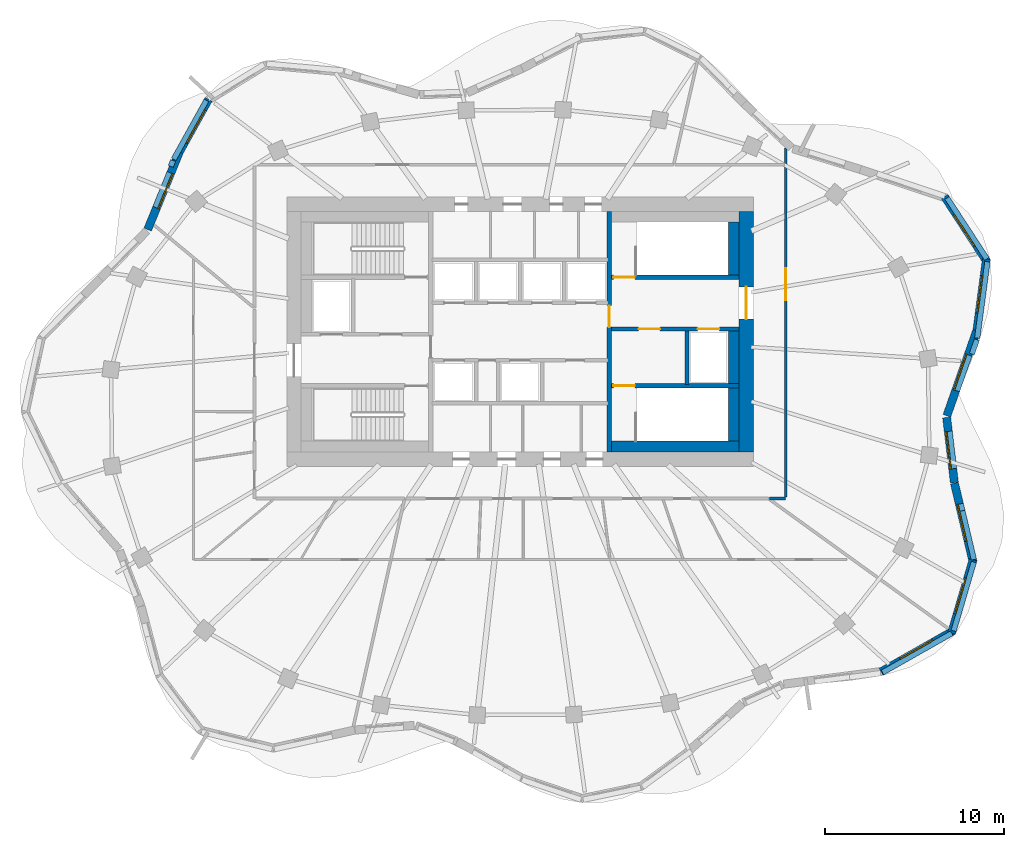
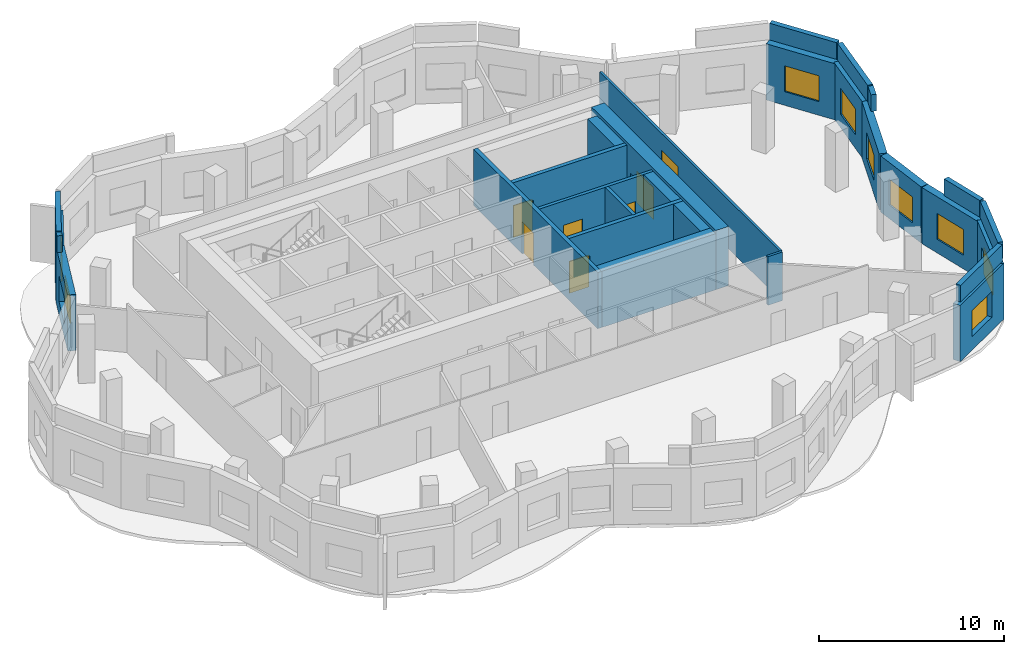
# One storey, part 6 of 9: 29 walls, 9 windows, 7 doors, 16 openings.
"""IFC4 building model written with IfcOpenShell, lengths in metres."""

import ifcopenshell
import ifcopenshell.guid

model = None  # the IFC model being written
_history = None  # IfcOwnerHistory: only IFC2X3 demands one
_inside = {}  # id of a spatial element -> (the spatial element, [elements in it])
_under = {}  # id of a project, library or spatial element -> (it, [spatial elements below it])
_declared = {}  # id of a project -> (the project, [libraries it declares])
_typed = {}  # id of a type object -> (the type object, [elements of that type])
_made_of = {}  # id of a material, layer set ... -> (it, [elements and type objects made of it])


def new_model(schema):
    """Start an empty IFC model of exactly this schema.

    Asked for "IFC4X3", IfcOpenShell would pick the latest addendum, in which some entities
    have other attributes; the version numbers below select the first issue.
    IFC2X3 requires an IfcOwnerHistory on every rooted entity: one is made here for all.
    """
    global model, _history
    if schema == "IFC4X3":
        model = ifcopenshell.file(schema_version=(4, 3, 0, 0))
    else:
        model = ifcopenshell.file(schema=schema)
    _inside.clear()
    _under.clear()
    _declared.clear()
    _typed.clear()
    _made_of.clear()
    _history = None
    if model.schema == "IFC2X3":
        org = make("IfcOrganization", Name="unknown")
        user = make(
            "IfcPersonAndOrganization",
            ThePerson=make("IfcPerson", FamilyName="unknown"),
            TheOrganization=org,
        )
        app = make(
            "IfcApplication",
            ApplicationDeveloper=org,
            Version="unknown",
            ApplicationFullName="unknown",
            ApplicationIdentifier="unknown",
        )
        _history = make(
            "IfcOwnerHistory",
            OwningUser=user,
            OwningApplication=app,
            ChangeAction="ADDED",
            CreationDate=0,
        )
    return model


def make(cls, **values):
    """One entity of the class cls with the attributes given. An attribute that is None is left unset."""
    return model.create_entity(
        cls, **{name: value for name, value in values.items() if value is not None}
    )


def rooted(cls, **values):
    """An entity with a GlobalId (a new one), such as an element, a storey or a relation."""
    return make(cls, GlobalId=ifcopenshell.guid.new(), OwnerHistory=_history, **values)


def si_unit(unit_type, name, prefix=None):
    """IfcSIUnit, for example si_unit("LENGTHUNIT", "METRE", prefix="MILLI")."""
    return make("IfcSIUnit", UnitType=unit_type, Prefix=prefix, Name=name)


def assignment(units):
    """IfcUnitAssignment: the units of a project."""
    return None if units is None else make("IfcUnitAssignment", Units=units)


def point(xyz):
    """IfcCartesianPoint."""
    return None if xyz is None else make("IfcCartesianPoint", Coordinates=xyz)


def direction(xyz):
    """IfcDirection."""
    return None if xyz is None else make("IfcDirection", DirectionRatios=xyz)


def frame(location, z_axis=None, x_axis=None):
    """IfcAxis2Placement3D, a coordinate frame: its origin and axes. An axis left out is left unset."""
    return make(
        "IfcAxis2Placement3D",
        Location=point(location),
        Axis=direction(z_axis),
        RefDirection=direction(x_axis),
    )


def frame_2d(location, x_axis=None):
    """IfcAxis2Placement2D, a coordinate frame in the plane: its origin and x axis."""
    return make(
        "IfcAxis2Placement2D", Location=point(location), RefDirection=direction(x_axis)
    )


def origin():
    """The frame at (0, 0, 0) with its axes left unset."""
    return frame((0.0, 0.0, 0.0))


def place(relative_to, where):
    """IfcLocalPlacement: puts the frame where relative to a parent placement (None: the world)."""
    return make(
        "IfcLocalPlacement", PlacementRelTo=relative_to, RelativePlacement=where
    )


def context(
    kind, dimensions, precision=None, world=None, true_north=None, identifier=None
):
    """IfcGeometricRepresentationContext, for example the 3D "Model" context."""
    return make(
        "IfcGeometricRepresentationContext",
        ContextIdentifier=identifier,
        ContextType=kind,
        CoordinateSpaceDimension=dimensions,
        Precision=precision,
        WorldCoordinateSystem=world,
        TrueNorth=true_north,
    )


def subcontext(parent, identifier, kind, view, scale=None):
    """IfcGeometricRepresentationSubContext, for example "Body" below "Model"."""
    return make(
        "IfcGeometricRepresentationSubContext",
        ContextIdentifier=identifier,
        ContextType=kind,
        ParentContext=parent,
        TargetScale=scale,
        TargetView=view,
    )


def project(units=None, contexts=None):
    """IfcProject with its units and contexts."""
    return rooted(
        "IfcProject",
        Name="project",
        RepresentationContexts=contexts,
        UnitsInContext=assignment(units),
    )


def spatial(cls, under=None, at=None, **own):
    """A site, building, storey or space (cls), placed at a placement, below another one or the project."""
    s = rooted(cls, ObjectPlacement=at, **own)
    if under is not None:
        _under.setdefault(under.id(), (under, []))[1].append(s)
    return s


def profile(cls, at=None, kind="AREA", **sizes):
    """A parametric profile (cls). Its sizes go by their IFC names, for example OverallWidth=200.0."""
    return make(cls, ProfileType=kind, Position=at, **sizes)


def rectangle(**sizes):
    """IfcRectangleProfileDef."""
    return profile("IfcRectangleProfileDef", **sizes)


def extrude(swept, where, along, depth):
    """IfcExtrudedAreaSolid: the profile swept, set in the frame where, extruded along a direction by depth."""
    return make(
        "IfcExtrudedAreaSolid",
        SweptArea=swept,
        Position=where,
        ExtrudedDirection=direction(along),
        Depth=depth,
    )


def shape(context_of_items, identifier, shape_type, items):
    """IfcShapeRepresentation: the items that make up one representation, for example the "Body"."""
    return make(
        "IfcShapeRepresentation",
        ContextOfItems=context_of_items,
        RepresentationIdentifier=identifier,
        RepresentationType=shape_type,
        Items=items,
    )


def material(Name=None, Category=None):
    """IfcMaterial."""
    return make("IfcMaterial", Name=Name, Category=Category)


def layer(
    of_material, thickness, ventilated=None, Name=None, Category=None, Priority=None
):
    """IfcMaterialLayer: one layer of a wall or slab, of a material (None: an air gap)."""
    return make(
        "IfcMaterialLayer",
        Material=of_material,
        LayerThickness=thickness,
        IsVentilated=ventilated,
        Name=Name,
        Category=Category,
        Priority=Priority,
    )


def layer_set(layers, Name=None):
    """IfcMaterialLayerSet."""
    return make("IfcMaterialLayerSet", MaterialLayers=layers, LayerSetName=Name)


def made_of(thing, what):
    """Note that an element or type object is made of a material, layer set ...; save() writes the relation."""
    if what is not None:
        _made_of.setdefault(what.id(), (what, []))[1].append(thing)
    return thing


def type_object(cls, material=None, **own):
    """A type object (cls), such as IfcWallType, which elements share."""
    return made_of(rooted(cls, **own), material)


def element(
    cls,
    number,
    at=None,
    inside=None,
    cuts=None,
    type_object=None,
    material=None,
    context=None,
    identifier="Body",
    shape_type=None,
    held_by="IfcProductDefinitionShape",
    body=None,
    shapes=None,
    **own,
):
    """One element of the class cls, such as IfcWall. Its Tag is "e" and its number.

    at: its placement. inside: the storey or other place that contains it. cuts: it is an
    opening in that element (IfcRelVoidsElement). A single representation is given by context,
    identifier, shape_type and body (its items); several are given by shapes. held_by: the class
    of the entity that holds the representations. save() writes the other relations.
    """
    e = rooted(cls, Tag="e%d" % number, ObjectPlacement=at, **own)
    if body is not None:
        shapes = [shape(context, identifier, shape_type, body)]
    if shapes is not None:
        e.Representation = make(held_by, Representations=shapes)
    if inside is not None:
        _inside.setdefault(inside.id(), (inside, []))[1].append(e)
    if cuts is not None:
        rooted(
            "IfcRelVoidsElement", RelatingBuildingElement=cuts, RelatedOpeningElement=e
        )
    if type_object is not None:
        _typed.setdefault(type_object.id(), (type_object, []))[1].append(e)
    return made_of(e, material)


def fill(opening, filler):
    """IfcRelFillsElement: the door or window that sits in an opening."""
    return rooted(
        "IfcRelFillsElement",
        RelatingOpeningElement=opening,
        RelatedBuildingElement=filler,
    )


def aggregate(whole, parts):
    """IfcRelAggregates: a whole, such as a stair, and the parts it consists of."""
    return rooted("IfcRelAggregates", RelatingObject=whole, RelatedObjects=parts)


def save(model, path):
    """Write the relations noted so far, then the file.

    IfcRelAggregates (storeys below a building ...), IfcRelContainedInSpatialStructure (elements
    in a storey), IfcRelDefinesByType, IfcRelAssociatesMaterial and IfcRelDeclares: one each for
    every whole, place, type object, material and project.
    """
    for whole, parts in _under.values():
        aggregate(whole, parts)
    for where, things in _inside.values():
        rooted(
            "IfcRelContainedInSpatialStructure",
            RelatedElements=things,
            RelatingStructure=where,
        )
    for kind, things in _typed.values():
        rooted("IfcRelDefinesByType", RelatedObjects=things, RelatingType=kind)
    for what, things in _made_of.values():
        rooted("IfcRelAssociatesMaterial", RelatedObjects=things, RelatingMaterial=what)
    for by, libraries in _declared.values():
        rooted("IfcRelDeclares", RelatingContext=by, RelatedDefinitions=libraries)
    model.write(path)


model = new_model("IFC4")

# Units and contexts
model_context = context("Model", 3, precision=1e-05, world=origin(), true_north=direction((0.0, 1.0)))
body_context = subcontext(model_context, "Body", "Model", "MODEL_VIEW")
ifc_project = project(units=[si_unit("LENGTHUNIT", "METRE"), si_unit("AREAUNIT", "SQUARE_METRE"), si_unit("VOLUMEUNIT", "CUBIC_METRE"), si_unit("PLANEANGLEUNIT", "RADIAN"), si_unit("MASSUNIT", "GRAM", prefix="KILO")], contexts=[model_context])

# Site, building, storey
site_placement = place(None, origin())
site = spatial("IfcSite", under=ifc_project, at=site_placement, CompositionType="ELEMENT")
building_placement = place(site_placement, origin())
building = spatial("IfcBuilding", under=site, at=building_placement, Name="Rubra Terraces Tower", CompositionType="ELEMENT")
storey_placement = place(building_placement, frame((0.0, 0.0, 303.89990234375)))
storey = spatial("IfcBuildingStorey", under=building, at=storey_placement, Name="L75", CompositionType="ELEMENT", Elevation=303.89990234375)

# Wall, opening, window
ifc_material_1 = material(Name="Brick masonry red-brown", Category="masonry")
ifc_layer_1 = layer(ifc_material_1, 0.449951171875)
ifc_layer_set_1 = layer_set([ifc_layer_1], Name="Brick masonry red-brown")
wall_type_1 = type_object("IfcWallType", Name="Brick facade wall 450", PredefinedType="SOLIDWALL", material=ifc_layer_set_1)
wall_1_placement = place(storey_placement, frame((23.782470703125, -0.189208984375, 0.0), z_axis=(0.0, 0.0, 1.0), x_axis=(0.330794307703, 0.943702880144, 0.0)))
wall_1 = element("IfcWall", 1, at=wall_1_placement, inside=storey, type_object=wall_type_1, Name="Facade wall L75 bay 1", PredefinedType="SOLIDWALL", context=body_context, shape_type="SweptSolid", body=[
    extrude(rectangle(XDim=5.095458984375, YDim=0.449951171875, at=frame_2d((2.5478515625, 0.0))), origin(), (0.0, 0.0, 1.0), 3.7001953125),
])
opening_1_placement = place(wall_1_placement, frame((1.497802734375, 0.0, 0.89990234375)))
opening_1 = element("IfcOpeningElement", 2, at=opening_1_placement, cuts=wall_1, Name="Opening W1Y", PredefinedType="OPENING", context=body_context, shape_type="SweptSolid", body=[
    extrude(rectangle(XDim=2.10009765625, YDim=1.699951171875, at=frame_2d((1.050048828125, 0.85009765625))), frame((0.0, 0.23486328125, 0.0), z_axis=(0.0, -1.0, 0.0), x_axis=(1.0, 0.0, 0.0)), (0.0, 0.0, 1.0), 0.469970703125),
])
ifc_material_2 = material(Name="Clear glass in aluminium frame", Category="aluminium")
window_type = type_object("IfcWindowType", Name="Fixed deep-set window under crown ring girder 2100 x 1700", PartitioningType="SINGLE_PANEL", PredefinedType="WINDOW", material=ifc_material_2)
window_1_placement = place(opening_1_placement, origin())
window_1 = element("IfcWindow", 3, at=window_1_placement, inside=storey, type_object=window_type, Name="Window L75 bay 1", OverallHeight=1.699951171875, OverallWidth=2.10009765625, PartitioningType="SINGLE_PANEL", PredefinedType="WINDOW", context=body_context, shape_type="SweptSolid", body=[
    extrude(rectangle(XDim=2.10009765625, YDim=1.699951171875, at=frame_2d((1.050048828125, 0.85009765625))), frame((0.0, 0.135009765625, 0.0), z_axis=(0.0, -1.0, 0.0), x_axis=(1.0, 0.0, 0.0)), (0.0, 0.0, 1.0), 0.06005859375),
])
fill(opening_1, window_1)

wall_2_placement = place(storey_placement, frame((25.457275390625, 4.57470703125, 0.0), z_axis=(0.0, 0.0, 1.0), x_axis=(0.132475046402, 0.991186340746, 0.0)))
wall_2 = element("IfcWall", 4, at=wall_2_placement, inside=storey, type_object=wall_type_1, Name="Facade wall L75 bay 2", PredefinedType="SOLIDWALL", context=body_context, shape_type="SweptSolid", body=[
    extrude(rectangle(XDim=4.006591796875, YDim=0.449951171875, at=frame_2d((2.00341796875, 0.0))), origin(), (0.0, 0.0, 1.0), 3.7001953125),
])
opening_2_placement = place(wall_2_placement, frame((0.953125, 0.0, 0.89990234375)))
opening_2 = element("IfcOpeningElement", 5, at=opening_2_placement, cuts=wall_2, Name="Opening W1Y", PredefinedType="OPENING", context=body_context, shape_type="SweptSolid", body=[
    extrude(rectangle(XDim=2.10009765625, YDim=1.699951171875, at=frame_2d((1.050048828125, 0.85009765625))), frame((0.0, 0.23486328125, 0.0), z_axis=(0.0, -1.0, 0.0), x_axis=(1.0, 0.0, 0.0)), (0.0, 0.0, 1.0), 0.469970703125),
])
window_2_placement = place(opening_2_placement, origin())
window_2 = element("IfcWindow", 6, at=window_2_placement, inside=storey, type_object=window_type, Name="Window L75 bay 2", OverallHeight=1.699951171875, OverallWidth=2.10009765625, PartitioningType="SINGLE_PANEL", PredefinedType="WINDOW", context=body_context, shape_type="SweptSolid", body=[
    extrude(rectangle(XDim=2.10009765625, YDim=1.699951171875, at=frame_2d((1.050048828125, 0.85009765625))), frame((0.0, 0.135009765625, 0.0), z_axis=(0.0, -1.0, 0.0), x_axis=(1.0, 0.0, 0.0)), (0.0, 0.0, 1.0), 0.06005859375),
])
fill(opening_2, window_2)

wall_3_placement = place(storey_placement, frame((26.0224609375, 8.393310546875, 0.0), z_axis=(0.0, 0.0, 1.0), x_axis=(-0.545637310328, 0.838021435035, 0.0)))
wall_3 = element("IfcWall", 7, at=wall_3_placement, inside=storey, type_object=wall_type_1, Name="Facade wall L75 bay 3", PredefinedType="SOLIDWALL", context=body_context, shape_type="SweptSolid", body=[
    extrude(rectangle(XDim=4.336181640625, YDim=0.449951171875, at=frame_2d((2.16796875, 0.0))), origin(), (0.0, 0.0, 1.0), 3.7001953125),
])
opening_3_placement = place(wall_3_placement, frame((1.1181640625, 0.0, 0.89990234375)))
opening_3 = element("IfcOpeningElement", 8, at=opening_3_placement, cuts=wall_3, Name="Opening W1Y", PredefinedType="OPENING", context=body_context, shape_type="SweptSolid", body=[
    extrude(rectangle(XDim=2.10009765625, YDim=1.699951171875, at=frame_2d((1.050048828125, 0.85009765625))), frame((0.0, 0.23486328125, 0.0), z_axis=(0.0, -1.0, 0.0), x_axis=(1.0, 0.0, 0.0)), (0.0, 0.0, 1.0), 0.469970703125),
])
window_3_placement = place(opening_3_placement, origin())
window_3 = element("IfcWindow", 9, at=window_3_placement, inside=storey, type_object=window_type, Name="Window L75 bay 3", OverallHeight=1.699951171875, OverallWidth=2.10009765625, PartitioningType="SINGLE_PANEL", PredefinedType="WINDOW", context=body_context, shape_type="SweptSolid", body=[
    extrude(rectangle(XDim=2.10009765625, YDim=1.699951171875, at=frame_2d((1.050048828125, 0.85009765625))), frame((0.0, 0.135009765625, 0.0), z_axis=(0.0, -1.0, 0.0), x_axis=(1.0, 0.0, 0.0)), (0.0, 0.0, 1.0), 0.06005859375),
])
fill(opening_3, window_3)

wall_4_placement = place(storey_placement, frame((-17.359375, 17.44677734375, 0.0), z_axis=(0.0, 0.0, 1.0), x_axis=(-0.485618126214, -0.874171056197, 0.0)))
wall_4 = element("IfcWall", 10, at=wall_4_placement, inside=storey, type_object=wall_type_1, Name="Facade wall L75 bay 16", PredefinedType="SOLIDWALL", context=body_context, shape_type="SweptSolid", body=[
    extrude(rectangle(XDim=3.3427734375, YDim=0.449951171875, at=frame_2d((1.67138671875, 0.0))), origin(), (0.0, 0.0, 1.0), 3.7001953125),
])
opening_4_placement = place(wall_4_placement, frame((0.621337890625, 0.0, 0.89990234375)))
opening_4 = element("IfcOpeningElement", 11, at=opening_4_placement, cuts=wall_4, Name="Opening W1Y", PredefinedType="OPENING", context=body_context, shape_type="SweptSolid", body=[
    extrude(rectangle(XDim=2.10009765625, YDim=1.699951171875, at=frame_2d((1.050048828125, 0.85009765625))), frame((0.0, 0.23486328125, 0.0), z_axis=(0.0, -1.0, 0.0), x_axis=(1.0, 0.0, 0.0)), (0.0, 0.0, 1.0), 0.469970703125),
])
window_4_placement = place(opening_4_placement, origin())
window_4 = element("IfcWindow", 12, at=window_4_placement, inside=storey, type_object=window_type, Name="Window L75 bay 16", OverallHeight=1.699951171875, OverallWidth=2.10009765625, PartitioningType="SINGLE_PANEL", PredefinedType="WINDOW", context=body_context, shape_type="SweptSolid", body=[
    extrude(rectangle(XDim=2.10009765625, YDim=1.699951171875, at=frame_2d((1.050048828125, 0.85009765625))), frame((0.0, 0.135009765625, 0.0), z_axis=(0.0, -1.0, 0.0), x_axis=(1.0, 0.0, 0.0)), (0.0, 0.0, 1.0), 0.06005859375),
])
fill(opening_4, window_4)

wall_5_placement = place(storey_placement, frame((-18.97119140625, 14.548828125, 0.0), z_axis=(0.0, 0.0, 1.0), x_axis=(-0.378434936431, -0.925627894398, 0.0)))
wall_5 = element("IfcWall", 13, at=wall_5_placement, inside=storey, type_object=wall_type_1, Name="Facade wall L75 bay 17", PredefinedType="SOLIDWALL", context=body_context, shape_type="SweptSolid", body=[
    extrude(rectangle(XDim=4.70751953125, YDim=0.449951171875, at=frame_2d((2.353759765625, 0.0))), origin(), (0.0, 0.0, 1.0), 3.7001953125),
])
opening_5_placement = place(wall_5_placement, frame((1.3037109375, 0.0, 0.89990234375)))
opening_5 = element("IfcOpeningElement", 14, at=opening_5_placement, cuts=wall_5, Name="Opening W1Y", PredefinedType="OPENING", context=body_context, shape_type="SweptSolid", body=[
    extrude(rectangle(XDim=2.10009765625, YDim=1.699951171875, at=frame_2d((1.050048828125, 0.85009765625))), frame((0.0, 0.23486328125, 0.0), z_axis=(0.0, -1.0, 0.0), x_axis=(1.0, 0.0, 0.0)), (0.0, 0.0, 1.0), 0.469970703125),
])
window_5_placement = place(opening_5_placement, origin())
window_5 = element("IfcWindow", 15, at=window_5_placement, inside=storey, type_object=window_type, Name="Window L75 bay 17", OverallHeight=1.699951171875, OverallWidth=2.10009765625, PartitioningType="SINGLE_PANEL", PredefinedType="WINDOW", context=body_context, shape_type="SweptSolid", body=[
    extrude(rectangle(XDim=2.10009765625, YDim=1.699951171875, at=frame_2d((1.050048828125, 0.85009765625))), frame((0.0, 0.135009765625, 0.0), z_axis=(0.0, -1.0, 0.0), x_axis=(1.0, 0.0, 0.0)), (0.0, 0.0, 1.0), 0.06005859375),
])
fill(opening_5, window_5)

wall_6_placement = place(storey_placement, frame((20.115478515625, -14.45458984375, 0.0), z_axis=(0.0, 0.0, 1.0), x_axis=(0.869822679286, 0.493364476427, 0.0)))
wall_6 = element("IfcWall", 16, at=wall_6_placement, inside=storey, type_object=wall_type_1, Name="Facade wall L75 bay 37", PredefinedType="SOLIDWALL", context=body_context, shape_type="SweptSolid", body=[
    extrude(rectangle(XDim=4.63818359375, YDim=0.449951171875, at=frame_2d((2.319091796875, 0.0))), origin(), (0.0, 0.0, 1.0), 3.7001953125),
])
opening_6_placement = place(wall_6_placement, frame((1.26904296875, 0.0, 0.89990234375)))
opening_6 = element("IfcOpeningElement", 17, at=opening_6_placement, cuts=wall_6, Name="Opening W1Y", PredefinedType="OPENING", context=body_context, shape_type="SweptSolid", body=[
    extrude(rectangle(XDim=2.10009765625, YDim=1.699951171875, at=frame_2d((1.050048828125, 0.85009765625))), frame((0.0, 0.23486328125, 0.0), z_axis=(0.0, -1.0, 0.0), x_axis=(1.0, 0.0, 0.0)), (0.0, 0.0, 1.0), 0.469970703125),
])
window_6_placement = place(opening_6_placement, origin())
window_6 = element("IfcWindow", 18, at=window_6_placement, inside=storey, type_object=window_type, Name="Window L75 bay 37", OverallHeight=1.699951171875, OverallWidth=2.10009765625, PartitioningType="SINGLE_PANEL", PredefinedType="WINDOW", context=body_context, shape_type="SweptSolid", body=[
    extrude(rectangle(XDim=2.10009765625, YDim=1.699951171875, at=frame_2d((1.050048828125, 0.85009765625))), frame((0.0, 0.135009765625, 0.0), z_axis=(0.0, -1.0, 0.0), x_axis=(1.0, 0.0, 0.0)), (0.0, 0.0, 1.0), 0.06005859375),
])
fill(opening_6, window_6)

wall_7_placement = place(storey_placement, frame((24.045166015625, -12.298583984375, 0.0), z_axis=(0.0, 0.0, 1.0), x_axis=(0.281381418228, 0.95959600743, 0.0)))
wall_7 = element("IfcWall", 19, at=wall_7_placement, inside=storey, type_object=wall_type_1, Name="Facade wall L75 bay 38", PredefinedType="SOLIDWALL", context=body_context, shape_type="SweptSolid", body=[
    extrude(rectangle(XDim=4.260986328125, YDim=0.449951171875, at=frame_2d((2.13037109375, 0.0))), origin(), (0.0, 0.0, 1.0), 3.7001953125),
])
opening_7_placement = place(wall_7_placement, frame((1.08056640625, 0.0, 0.89990234375)))
opening_7 = element("IfcOpeningElement", 20, at=opening_7_placement, cuts=wall_7, Name="Opening W1Y", PredefinedType="OPENING", context=body_context, shape_type="SweptSolid", body=[
    extrude(rectangle(XDim=2.10009765625, YDim=1.699951171875, at=frame_2d((1.050048828125, 0.85009765625))), frame((0.0, 0.23486328125, 0.0), z_axis=(0.0, -1.0, 0.0), x_axis=(1.0, 0.0, 0.0)), (0.0, 0.0, 1.0), 0.469970703125),
])
window_7_placement = place(opening_7_placement, origin())
window_7 = element("IfcWindow", 21, at=window_7_placement, inside=storey, type_object=window_type, Name="Window L75 bay 38", OverallHeight=1.699951171875, OverallWidth=2.10009765625, PartitioningType="SINGLE_PANEL", PredefinedType="WINDOW", context=body_context, shape_type="SweptSolid", body=[
    extrude(rectangle(XDim=2.10009765625, YDim=1.699951171875, at=frame_2d((1.050048828125, 0.85009765625))), frame((0.0, 0.135009765625, 0.0), z_axis=(0.0, -1.0, 0.0), x_axis=(1.0, 0.0, 0.0)), (0.0, 0.0, 1.0), 0.06005859375),
])
fill(opening_7, window_7)

wall_8_placement = place(storey_placement, frame((25.23974609375, -8.3193359375, 0.0), z_axis=(0.0, 0.0, 1.0), x_axis=(-0.230037604827, 0.973181740666, 0.0)))
wall_8 = element("IfcWall", 22, at=wall_8_placement, inside=storey, type_object=wall_type_1, Name="Facade wall L75 bay 39", PredefinedType="SOLIDWALL", context=body_context, shape_type="SweptSolid", body=[
    extrude(rectangle(XDim=4.497802734375, YDim=0.449951171875, at=frame_2d((2.2490234375, 0.0))), origin(), (0.0, 0.0, 1.0), 3.7001953125),
])
opening_8_placement = place(wall_8_placement, frame((1.198974609375, 0.0, 0.89990234375)))
opening_8 = element("IfcOpeningElement", 23, at=opening_8_placement, cuts=wall_8, Name="Opening W1Y", PredefinedType="OPENING", context=body_context, shape_type="SweptSolid", body=[
    extrude(rectangle(XDim=2.10009765625, YDim=1.699951171875, at=frame_2d((1.050048828125, 0.85009765625))), frame((0.0, 0.23486328125, 0.0), z_axis=(0.0, -1.0, 0.0), x_axis=(1.0, 0.0, 0.0)), (0.0, 0.0, 1.0), 0.469970703125),
])
window_8_placement = place(opening_8_placement, origin())
window_8 = element("IfcWindow", 24, at=window_8_placement, inside=storey, type_object=window_type, Name="Window L75 bay 39", OverallHeight=1.699951171875, OverallWidth=2.10009765625, PartitioningType="SINGLE_PANEL", PredefinedType="WINDOW", context=body_context, shape_type="SweptSolid", body=[
    extrude(rectangle(XDim=2.10009765625, YDim=1.699951171875, at=frame_2d((1.050048828125, 0.85009765625))), frame((0.0, 0.135009765625, 0.0), z_axis=(0.0, -1.0, 0.0), x_axis=(1.0, 0.0, 0.0)), (0.0, 0.0, 1.0), 0.06005859375),
])
fill(opening_8, window_8)

wall_9_placement = place(storey_placement, frame((24.200927734375, -3.915283203125, 0.0), z_axis=(0.0, 0.0, 1.0), x_axis=(-0.117623597589, 0.993058250703, 0.0)))
wall_9 = element("IfcWall", 25, at=wall_9_placement, inside=storey, type_object=wall_type_1, Name="Facade wall L75 bay 40", PredefinedType="SOLIDWALL", context=body_context, shape_type="SweptSolid", body=[
    extrude(rectangle(XDim=3.6572265625, YDim=0.449951171875, at=frame_2d((1.82861328125, 0.0))), origin(), (0.0, 0.0, 1.0), 3.7001953125),
])
opening_9_placement = place(wall_9_placement, frame((0.77880859375, 0.0, 0.89990234375)))
opening_9 = element("IfcOpeningElement", 26, at=opening_9_placement, cuts=wall_9, Name="Opening W1Y", PredefinedType="OPENING", context=body_context, shape_type="SweptSolid", body=[
    extrude(rectangle(XDim=2.10009765625, YDim=1.699951171875, at=frame_2d((1.050048828125, 0.85009765625))), frame((0.0, 0.23486328125, 0.0), z_axis=(0.0, -1.0, 0.0), x_axis=(1.0, 0.0, 0.0)), (0.0, 0.0, 1.0), 0.469970703125),
])
window_9_placement = place(opening_9_placement, origin())
window_9 = element("IfcWindow", 27, at=window_9_placement, inside=storey, type_object=window_type, Name="Window L75 bay 40", OverallHeight=1.699951171875, OverallWidth=2.10009765625, PartitioningType="SINGLE_PANEL", PredefinedType="WINDOW", context=body_context, shape_type="SweptSolid", body=[
    extrude(rectangle(XDim=2.10009765625, YDim=1.699951171875, at=frame_2d((1.050048828125, 0.85009765625))), frame((0.0, 0.135009765625, 0.0), z_axis=(0.0, -1.0, 0.0), x_axis=(1.0, 0.0, 0.0)), (0.0, 0.0, 1.0), 0.06005859375),
])
fill(opening_9, window_9)

# Walls
ifc_layer_2 = layer(ifc_material_1, 0.300048828125)
ifc_layer_set_2 = layer_set([ifc_layer_2], Name="Brick masonry red-brown")
wall_type_2 = type_object("IfcWallType", Name="Brick parapet 300", PredefinedType="PARAPET", material=ifc_layer_set_2)
wall_10_placement = place(storey_placement, frame((25.17529296875, 3.25634765625, 3.900146484375), z_axis=(0.0, 0.0, 1.0), x_axis=(0.330919788056, 0.943658886396, 0.0)))
element("IfcWall", 28, at=wall_10_placement, inside=storey, type_object=wall_type_2, Name="Parapet L75 bay 1", PredefinedType="PARAPET", context=body_context, shape_type="SweptSolid", body=[
    extrude(rectangle(XDim=0.84033203125, YDim=0.300048828125, at=frame_2d((0.420166015625, 0.0))), origin(), (0.0, 0.0, 1.0), 1.099853515625),
])
wall_11_placement = place(storey_placement, frame((25.474365234375, 4.13720703125, 3.900146484375), z_axis=(0.0, 0.0, 1.0), x_axis=(0.132506125812, 0.991182186393, 0.0)))
element("IfcWall", 29, at=wall_11_placement, inside=storey, type_object=wall_type_2, Name="Parapet L75 bay 2", PredefinedType="PARAPET", context=body_context, shape_type="SweptSolid", body=[
    extrude(rectangle(XDim=4.296630859375, YDim=0.300048828125, at=frame_2d((2.1484375, 0.0))), origin(), (0.0, 0.0, 1.0), 1.099853515625),
])
wall_12_placement = place(storey_placement, frame((26.00830078125, 8.552490234375, 3.900146484375), z_axis=(0.0, 0.0, 1.0), x_axis=(-0.545634876254, 0.83802301986, 0.0)))
element("IfcWall", 30, at=wall_12_placement, inside=storey, type_object=wall_type_2, Name="Parapet L75 bay 3", PredefinedType="PARAPET", context=body_context, shape_type="SweptSolid", body=[
    extrude(rectangle(XDim=4.060546875, YDim=0.300048828125, at=frame_2d((2.0302734375, 0.0))), origin(), (0.0, 0.0, 1.0), 1.099853515625),
])
wall_13_placement = place(storey_placement, frame((-17.477783203125, 17.387939453125, 3.900146484375), z_axis=(0.0, 0.0, 1.0), x_axis=(-0.485615332884, -0.874172607937, 0.0)))
element("IfcWall", 31, at=wall_13_placement, inside=storey, type_object=wall_type_2, Name="Parapet L75 bay 16", PredefinedType="PARAPET", context=body_context, shape_type="SweptSolid", body=[
    extrude(rectangle(XDim=3.755615234375, YDim=0.300048828125, at=frame_2d((1.8779296875, 0.0))), origin(), (0.0, 0.0, 1.0), 1.099853515625),
])
wall_14_placement = place(storey_placement, frame((-19.335205078125, 14.034912109375, 3.900146484375), z_axis=(0.0, 0.0, 1.0), x_axis=(-0.378958919955, -0.925413495139, 0.0)))
element("IfcWall", 32, at=wall_14_placement, inside=storey, type_object=wall_type_2, Name="Parapet L75 bay 17", PredefinedType="PARAPET", context=body_context, shape_type="SweptSolid", body=[
    extrude(rectangle(XDim=0.349853515625, YDim=0.300048828125, at=frame_2d((0.1748046875, 0.0))), origin(), (0.0, 0.0, 1.0), 1.099853515625),
])
wall_15_placement = place(storey_placement, frame((20.195068359375, -14.495849609375, 3.900146484375), z_axis=(0.0, 0.0, 1.0), x_axis=(0.86982311217, 0.493363713234, 0.0)))
element("IfcWall", 33, at=wall_15_placement, inside=storey, type_object=wall_type_2, Name="Parapet L75 bay 37", PredefinedType="PARAPET", context=body_context, shape_type="SweptSolid", body=[
    extrude(rectangle(XDim=4.437744140625, YDim=0.300048828125, at=frame_2d((2.21875, 0.0))), origin(), (0.0, 0.0, 1.0), 1.099853515625),
])
wall_16_placement = place(storey_placement, frame((24.15966796875, -12.17431640625, 3.900146484375), z_axis=(0.0, 0.0, 1.0), x_axis=(0.281412876289, 0.959586782453, 0.0)))
element("IfcWall", 34, at=wall_16_placement, inside=storey, type_object=wall_type_2, Name="Parapet L75 bay 38", PredefinedType="PARAPET", context=body_context, shape_type="SweptSolid", body=[
    extrude(rectangle(XDim=4.000244140625, YDim=0.300048828125, at=frame_2d((2.0, 0.0))), origin(), (0.0, 0.0, 1.0), 1.099853515625),
])
wall_17_placement = place(storey_placement, frame((25.288818359375, -8.200927734375, 3.900146484375), z_axis=(0.0, 0.0, 1.0), x_axis=(-0.23006761564, 0.973174646317, 0.0)))
element("IfcWall", 35, at=wall_17_placement, inside=storey, type_object=wall_type_2, Name="Parapet L75 bay 39", PredefinedType="PARAPET", context=body_context, shape_type="SweptSolid", body=[
    extrude(rectangle(XDim=2.7919921875, YDim=0.300048828125, at=frame_2d((1.39599609375, 0.0))), origin(), (0.0, 0.0, 1.0), 1.099853515625),
])

# Wall, opening, door
ifc_material_3 = material(Name="Concrete C50", Category="concrete")
ifc_layer_3 = layer(ifc_material_3, 0.800048828125)
ifc_layer_set_3 = layer_set([ifc_layer_3], Name="Concrete C50")
wall_type_3 = type_object("IfcWallType", Name="CORE WALL 800 C50", PredefinedType="SHEAR", material=ifc_layer_set_3)
wall_18_placement = place(storey_placement, frame((12.60009765625, -2.199951171875, 0.0), z_axis=(0.0, 0.0, 1.0), x_axis=(0.0, 1.0, 0.0)))
wall_18 = element("IfcWall", 36, at=wall_18_placement, inside=storey, type_object=wall_type_3, Name="CORE WALL E L75", PredefinedType="SHEAR", context=body_context, shape_type="SweptSolid", body=[
    extrude(rectangle(XDim=13.39990234375, YDim=0.800048828125, at=frame_2d((6.699951171875, 0.0))), origin(), (0.0, 0.0, 1.0), 3.900146484375),
])
opening_10_placement = place(wall_18_placement, frame((7.39990234375, 0.0, 0.0)))
opening_10 = element("IfcOpeningElement", 37, at=opening_10_placement, cuts=wall_18, Name="Opening L75.C02", PredefinedType="OPENING", context=body_context, shape_type="SweptSolid", body=[
    extrude(rectangle(XDim=1.800048828125, YDim=2.10009765625, at=frame_2d((0.89990234375, 1.050048828125))), frame((0.0, 0.409912109375, 0.0), z_axis=(0.0, -1.0, 0.0), x_axis=(1.0, 0.0, 0.0)), (0.0, 0.0, 1.0), 0.820068359375),
])
ifc_material_4 = material(Name="Painted steel", Category="steel")
door_type_1 = type_object("IfcDoorType", Name="Fire door 1800x2100 double", OperationType="NOTDEFINED", PredefinedType="DOOR", material=ifc_material_4)
door_1_placement = place(opening_10_placement, origin())
door_1 = element("IfcDoor", 38, at=door_1_placement, inside=storey, type_object=door_type_1, Name="Core entrance door FF2", OperationType="DOUBLE_DOOR_SINGLE_SWING", OverallHeight=2.10009765625, OverallWidth=1.800048828125, PredefinedType="DOOR", context=body_context, shape_type="SweptSolid", body=[
    extrude(rectangle(XDim=1.800048828125, YDim=2.10009765625, at=frame_2d((0.89990234375, 1.050048828125))), frame((0.0, 0.02490234375, 0.0), z_axis=(0.0, -1.0, 0.0), x_axis=(1.0, 0.0, 0.0)), (0.0, 0.0, 1.0), 0.050048828125),
])
fill(opening_10, door_1)

# Wall
ifc_material_5 = material(Name="Plasterboard on steel stud, mineral wool infill", Category="steel")
ifc_layer_4 = layer(ifc_material_5, 0.14990234375)
ifc_layer_set_4 = layer_set([ifc_layer_4], Name="Plasterboard on steel stud, mineral wool infill")
wall_type_4 = type_object("IfcWallType", Name="CORRIDOR PARTITION 150", PredefinedType="PARTITIONING", material=ifc_layer_set_4)
wall_19_placement = place(storey_placement, frame((13.910400390625, -4.800048828125, 0.0), z_axis=(0.0, 0.0, 1.0), x_axis=(1.0, 0.0, 0.0)))
element("IfcWall", 39, at=wall_19_placement, inside=storey, type_object=wall_type_4, Name="PARTITION", PredefinedType="PARTITIONING", context=body_context, shape_type="SweptSolid", body=[
    extrude(rectangle(XDim=0.8896484375, YDim=0.14990234375, at=frame_2d((0.44482421875, 0.0))), origin(), (0.0, 0.0, 1.0), 3.197998046875),
])

# Wall, opening, door
wall_20_placement = place(storey_placement, frame((14.800048828125, -4.72509765625, 0.0), z_axis=(0.0, 0.0, 1.0), x_axis=(0.0, 1.0, 0.0)))
wall_20 = element("IfcWall", 40, at=wall_20_placement, inside=storey, type_object=wall_type_4, Name="PARTITION", PredefinedType="PARTITIONING", context=body_context, shape_type="SweptSolid", body=[
    extrude(rectangle(XDim=19.451904296875, YDim=0.14990234375, at=frame_2d((9.72607421875, 0.0))), origin(), (0.0, 0.0, 1.0), 3.197998046875),
])
opening_11_placement = place(wall_20_placement, frame((10.965087890625, 0.0, 0.0)))
opening_11 = element("IfcOpeningElement", 41, at=opening_11_placement, cuts=wall_20, Name="Opening 75-115", PredefinedType="OPENING", context=body_context, shape_type="SweptSolid", body=[
    extrude(rectangle(XDim=1.800048828125, YDim=2.10009765625, at=frame_2d((0.89990234375, 1.050048828125))), frame((0.0, 0.0849609375, 0.0), z_axis=(0.0, -1.0, 0.0), x_axis=(1.0, 0.0, 0.0)), (0.0, 0.0, 1.0), 0.169921875),
])
ifc_material_6 = material(Name="Painted timber door leaf, double", Category="wood")
door_type_2 = type_object("IfcDoorType", Name="ROOM DOUBLE DOOR 1800 X 2100", OperationType="DOUBLE_DOOR_SINGLE_SWING", PredefinedType="DOOR", material=ifc_material_6)
door_2_placement = place(opening_11_placement, origin())
door_2 = element("IfcDoor", 42, at=door_2_placement, inside=storey, type_object=door_type_2, Name="DOOR 75-115", OperationType="DOUBLE_DOOR_SINGLE_SWING", OverallHeight=2.10009765625, OverallWidth=1.800048828125, PredefinedType="DOOR", context=body_context, shape_type="SweptSolid", body=[
    extrude(rectangle(XDim=1.800048828125, YDim=2.10009765625, at=frame_2d((0.89990234375, 1.050048828125))), frame((0.0, 0.02490234375, 0.0), z_axis=(0.0, -1.0, 0.0), x_axis=(1.0, 0.0, 0.0)), (0.0, 0.0, 1.0), 0.050048828125),
])
fill(opening_11, door_2)

# Walls
ifc_material_7 = material(Name="Concrete C40", Category="concrete")
ifc_layer_5 = layer(ifc_material_7, 0.60009765625)
ifc_layer_set_5 = layer_set([ifc_layer_5], Name="Concrete C40")
wall_type_5 = type_object("IfcWallType", Name="Core lining wall 600 concrete", PredefinedType="SOLIDWALL", material=ifc_layer_set_5)
wall_21_placement = place(storey_placement, frame((11.89990234375, 10.60009765625, 0.0), z_axis=(0.0, 0.0, 1.0), x_axis=(0.0, -1.0, 0.0)))
element("IfcWall", 43, at=wall_21_placement, inside=storey, type_object=wall_type_5, Name="CORE LINING WALL L75", PredefinedType="SOLIDWALL", context=body_context, shape_type="SweptSolid", body=[
    extrude(rectangle(XDim=2.9501953125, YDim=0.60009765625, at=frame_2d((1.47509765625, 0.0))), origin(), (0.0, 0.0, 1.0), 3.7001953125),
])
wall_22_placement = place(storey_placement, frame((11.89990234375, 4.550048828125, 0.0), z_axis=(0.0, 0.0, 1.0), x_axis=(0.0, -1.0, 0.0)))
element("IfcWall", 44, at=wall_22_placement, inside=storey, type_object=wall_type_5, Name="CORE LINING WALL L75", PredefinedType="SOLIDWALL", context=body_context, shape_type="SweptSolid", body=[
    extrude(rectangle(XDim=3.0, YDim=0.60009765625, at=frame_2d((1.5, 0.0))), origin(), (0.0, 0.0, 1.0), 3.7001953125),
])
wall_23_placement = place(storey_placement, frame((11.89990234375, 1.35009765625, 0.0), z_axis=(0.0, 0.0, 1.0), x_axis=(0.0, -1.0, 0.0)))
element("IfcWall", 45, at=wall_23_placement, inside=storey, type_object=wall_type_5, Name="CORE LINING WALL L75", PredefinedType="SOLIDWALL", context=body_context, shape_type="SweptSolid", body=[
    extrude(rectangle(XDim=2.9501953125, YDim=0.60009765625, at=frame_2d((1.47509765625, 0.0))), origin(), (0.0, 0.0, 1.0), 3.7001953125),
])
wall_24_placement = place(storey_placement, frame((12.199951171875, -1.89990234375, 0.0), z_axis=(0.0, 0.0, 1.0), x_axis=(-1.0, 0.0, 0.0)))
element("IfcWall", 46, at=wall_24_placement, inside=storey, type_object=wall_type_5, Name="CORE LINING WALL L75", PredefinedType="SOLIDWALL", context=body_context, shape_type="SweptSolid", body=[
    extrude(rectangle(XDim=7.099853515625, YDim=0.60009765625, at=frame_2d((3.5498046875, 0.0))), origin(), (0.0, 0.0, 1.0), 3.7001953125),
])

# Wall, openings, doors
ifc_material_8 = material(Name="Concrete C30", Category="concrete")
ifc_layer_6 = layer(ifc_material_8, 0.199951171875)
ifc_layer_set_6 = layer_set([ifc_layer_6], Name="Concrete C30")
wall_type_6 = type_object("IfcWallType", Name="Core wall 200 concrete", PredefinedType="SOLIDWALL", material=ifc_layer_set_6)
wall_25_placement = place(storey_placement, frame((12.199951171875, 4.64990234375, 0.0), z_axis=(0.0, 0.0, 1.0), x_axis=(-1.0, 0.0, 0.0)))
wall_25 = element("IfcWall", 47, at=wall_25_placement, inside=storey, type_object=wall_type_6, Name="STAIR WALL L75", PredefinedType="SOLIDWALL", context=body_context, shape_type="SweptSolid", body=[
    extrude(rectangle(XDim=7.099853515625, YDim=0.199951171875, at=frame_2d((3.5498046875, 0.0))), origin(), (0.0, 0.0, 1.0), 3.7001953125),
])
opening_12_placement = place(wall_25_placement, frame((4.39990234375, 0.0, 0.0)))
opening_12 = element("IfcOpeningElement", 48, at=opening_12_placement, cuts=wall_25, Name="Opening L75.C06", PredefinedType="OPENING", context=body_context, shape_type="SweptSolid", body=[
    extrude(rectangle(XDim=1.199951171875, YDim=2.10009765625, at=frame_2d((0.60009765625, 1.050048828125))), frame((0.0, 0.10986328125, 0.0), z_axis=(0.0, -1.0, 0.0), x_axis=(1.0, 0.0, 0.0)), (0.0, 0.0, 1.0), 0.219970703125),
])
opening_13_placement = place(wall_25_placement, frame((1.10009765625, 0.0, 0.0)))
opening_13 = element("IfcOpeningElement", 49, at=opening_13_placement, cuts=wall_25, Name="Opening L75.C12", PredefinedType="OPENING", context=body_context, shape_type="SweptSolid", body=[
    extrude(rectangle(XDim=1.199951171875, YDim=2.10009765625, at=frame_2d((0.60009765625, 1.050048828125))), frame((0.0, 0.10986328125, 0.0), z_axis=(0.0, -1.0, 0.0), x_axis=(1.0, 0.0, 0.0)), (0.0, 0.0, 1.0), 0.219970703125),
])
door_type_3 = type_object("IfcDoorType", Name="Fire door 1200x2100 single", OperationType="NOTDEFINED", PredefinedType="DOOR", material=ifc_material_4)
door_3_placement = place(opening_12_placement, origin())
door_3 = element("IfcDoor", 50, at=door_3_placement, inside=storey, type_object=door_type_3, Name="Stair vestibule door S4", OperationType="SINGLE_SWING_RIGHT", OverallHeight=2.10009765625, OverallWidth=1.199951171875, PredefinedType="DOOR", context=body_context, shape_type="SweptSolid", body=[
    extrude(rectangle(XDim=1.199951171875, YDim=2.10009765625, at=frame_2d((0.60009765625, 1.050048828125))), frame((0.0, 0.02490234375, 0.0), z_axis=(0.0, -1.0, 0.0), x_axis=(1.0, 0.0, 0.0)), (0.0, 0.0, 1.0), 0.050048828125),
])
fill(opening_12, door_3)
ifc_material_9 = material(Name="Stainless steel", Category="steel")
door_type_4 = type_object("IfcDoorType", Name="Lift landing door 1200x2100", OperationType="NOTDEFINED", PredefinedType="DOOR", material=ifc_material_9)
door_4_placement = place(opening_13_placement, origin())
door_4 = element("IfcDoor", 51, at=door_4_placement, inside=storey, type_object=door_type_4, Name="Landing door FF2", OperationType="SLIDING_TO_RIGHT", OverallHeight=2.10009765625, OverallWidth=1.199951171875, PredefinedType="DOOR", context=body_context, shape_type="SweptSolid", body=[
    extrude(rectangle(XDim=1.199951171875, YDim=2.10009765625, at=frame_2d((0.60009765625, 1.050048828125))), frame((0.0, 0.02490234375, 0.0), z_axis=(0.0, -1.0, 0.0), x_axis=(1.0, 0.0, 0.0)), (0.0, 0.0, 1.0), 0.050048828125),
])
fill(opening_13, door_4)

# Wall
wall_26_placement = place(storey_placement, frame((9.300048828125, 4.550048828125, 0.0), z_axis=(0.0, 0.0, 1.0), x_axis=(0.0, -1.0, 0.0)))
element("IfcWall", 52, at=wall_26_placement, inside=storey, type_object=wall_type_6, Name="STAIR WALL L75", PredefinedType="SOLIDWALL", context=body_context, shape_type="SweptSolid", body=[
    extrude(rectangle(XDim=3.0, YDim=0.199951171875, at=frame_2d((1.5, 0.0))), origin(), (0.0, 0.0, 1.0), 3.7001953125),
])

# Wall, opening, door
ifc_layer_7 = layer(ifc_material_7, 0.25)
ifc_layer_set_7 = layer_set([ifc_layer_7], Name="Concrete C40")
wall_type_7 = type_object("IfcWallType", Name="Stair enclosure wall 250 concrete", PredefinedType="SOLIDWALL", material=ifc_layer_set_7)
wall_27_placement = place(storey_placement, frame((12.199951171875, 7.52490234375, 0.0), z_axis=(0.0, 0.0, 1.0), x_axis=(-1.0, 0.0, 0.0)))
wall_27 = element("IfcWall", 53, at=wall_27_placement, inside=storey, type_object=wall_type_7, Name="STAIR WALL L75", PredefinedType="SOLIDWALL", context=body_context, shape_type="SweptSolid", body=[
    extrude(rectangle(XDim=7.099853515625, YDim=0.25, at=frame_2d((3.5498046875, 0.0))), origin(), (0.0, 0.0, 1.0), 3.7001953125),
])
opening_14_placement = place(wall_27_placement, frame((5.800048828125, 0.0, 0.0)))
opening_14 = element("IfcOpeningElement", 54, at=opening_14_placement, cuts=wall_27, Name="Opening L75.C08", PredefinedType="OPENING", context=body_context, shape_type="SweptSolid", body=[
    extrude(rectangle(XDim=1.199951171875, YDim=2.10009765625, at=frame_2d((0.60009765625, 1.050048828125))), frame((0.0, 0.135009765625, 0.0), z_axis=(0.0, -1.0, 0.0), x_axis=(1.0, 0.0, 0.0)), (0.0, 0.0, 1.0), 0.27001953125),
])
door_5_placement = place(opening_14_placement, origin())
door_5 = element("IfcDoor", 55, at=door_5_placement, inside=storey, type_object=door_type_3, Name="Stair door S3", OperationType="SINGLE_SWING_RIGHT", OverallHeight=2.10009765625, OverallWidth=1.199951171875, PredefinedType="DOOR", context=body_context, shape_type="SweptSolid", body=[
    extrude(rectangle(XDim=1.199951171875, YDim=2.10009765625, at=frame_2d((0.60009765625, 1.050048828125))), frame((0.0, 0.02490234375, 0.0), z_axis=(0.0, -1.0, 0.0), x_axis=(1.0, 0.0, 0.0)), (0.0, 0.0, 1.0), 0.050048828125),
])
fill(opening_14, door_5)

wall_28_placement = place(storey_placement, frame((12.199951171875, 1.47509765625, 0.0), z_axis=(0.0, 0.0, 1.0), x_axis=(-1.0, 0.0, 0.0)))
wall_28 = element("IfcWall", 56, at=wall_28_placement, inside=storey, type_object=wall_type_7, Name="STAIR WALL L75", PredefinedType="SOLIDWALL", context=body_context, shape_type="SweptSolid", body=[
    extrude(rectangle(XDim=7.099853515625, YDim=0.25, at=frame_2d((3.5498046875, 0.0))), origin(), (0.0, 0.0, 1.0), 3.7001953125),
])
opening_15_placement = place(wall_28_placement, frame((5.800048828125, 0.0, 0.0)))
opening_15 = element("IfcOpeningElement", 57, at=opening_15_placement, cuts=wall_28, Name="Opening L75.C10", PredefinedType="OPENING", context=body_context, shape_type="SweptSolid", body=[
    extrude(rectangle(XDim=1.199951171875, YDim=2.10009765625, at=frame_2d((0.60009765625, 1.050048828125))), frame((0.0, 0.135009765625, 0.0), z_axis=(0.0, -1.0, 0.0), x_axis=(1.0, 0.0, 0.0)), (0.0, 0.0, 1.0), 0.27001953125),
])
door_6_placement = place(opening_15_placement, origin())
door_6 = element("IfcDoor", 58, at=door_6_placement, inside=storey, type_object=door_type_3, Name="Stair door S4", OperationType="SINGLE_SWING_RIGHT", OverallHeight=2.10009765625, OverallWidth=1.199951171875, PredefinedType="DOOR", context=body_context, shape_type="SweptSolid", body=[
    extrude(rectangle(XDim=1.199951171875, YDim=2.10009765625, at=frame_2d((0.60009765625, 1.050048828125))), frame((0.0, 0.02490234375, 0.0), z_axis=(0.0, -1.0, 0.0), x_axis=(1.0, 0.0, 0.0)), (0.0, 0.0, 1.0), 0.050048828125),
])
fill(opening_15, door_6)

wall_29_placement = place(storey_placement, frame((4.97509765625, 11.199951171875, 0.0), z_axis=(0.0, 0.0, 1.0), x_axis=(0.0, -1.0, 0.0)))
wall_29 = element("IfcWall", 59, at=wall_29_placement, inside=storey, type_object=wall_type_7, Name="CORE LOBBY WALL L75", PredefinedType="SOLIDWALL", context=body_context, shape_type="SweptSolid", body=[
    extrude(rectangle(XDim=13.39990234375, YDim=0.25, at=frame_2d((6.699951171875, 0.0))), origin(), (0.0, 0.0, 1.0), 3.7001953125),
])
opening_16_placement = place(wall_29_placement, frame((5.25, 0.0, 0.0)))
opening_16 = element("IfcOpeningElement", 60, at=opening_16_placement, cuts=wall_29, Name="Opening L75.C04", PredefinedType="OPENING", context=body_context, shape_type="SweptSolid", body=[
    extrude(rectangle(XDim=1.199951171875, YDim=2.10009765625, at=frame_2d((0.60009765625, 1.050048828125))), frame((0.0, 0.135009765625, 0.0), z_axis=(0.0, -1.0, 0.0), x_axis=(1.0, 0.0, 0.0)), (0.0, 0.0, 1.0), 0.27001953125),
])
door_7_placement = place(opening_16_placement, origin())
door_7 = element("IfcDoor", 61, at=door_7_placement, inside=storey, type_object=door_type_3, Name="Firefighting lobby door FF2", OperationType="SINGLE_SWING_RIGHT", OverallHeight=2.10009765625, OverallWidth=1.199951171875, PredefinedType="DOOR", context=body_context, shape_type="SweptSolid", body=[
    extrude(rectangle(XDim=1.199951171875, YDim=2.10009765625, at=frame_2d((0.60009765625, 1.050048828125))), frame((0.0, 0.02490234375, 0.0), z_axis=(0.0, -1.0, 0.0), x_axis=(1.0, 0.0, 0.0)), (0.0, 0.0, 1.0), 0.050048828125),
])
fill(opening_16, door_7)

save(model, "model.ifc")
